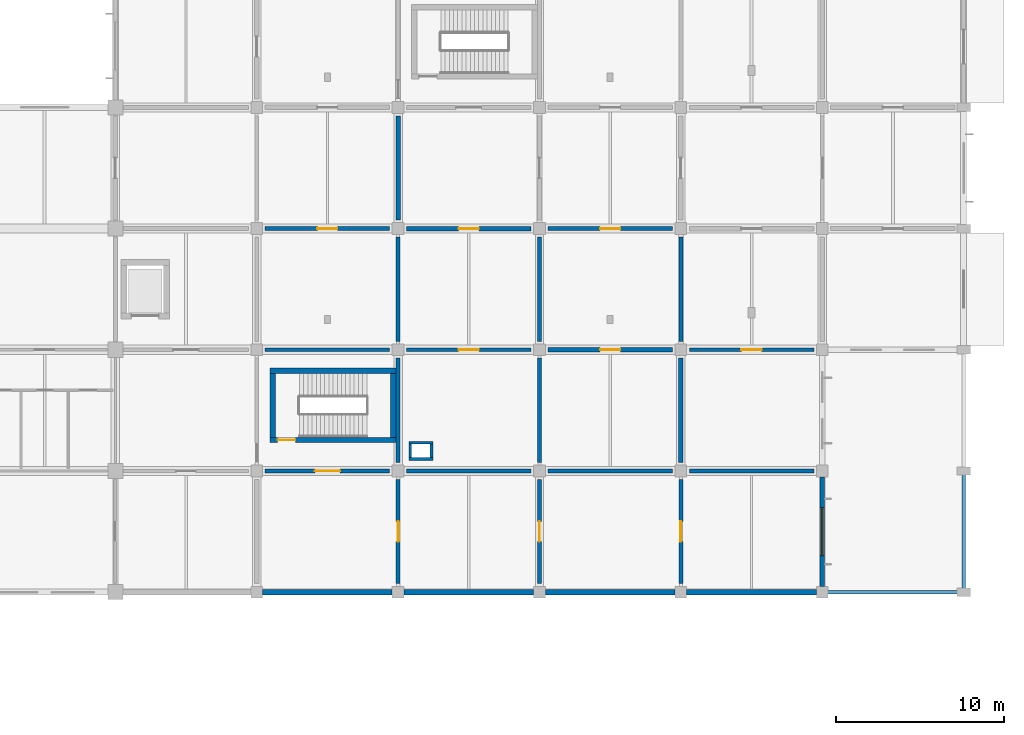
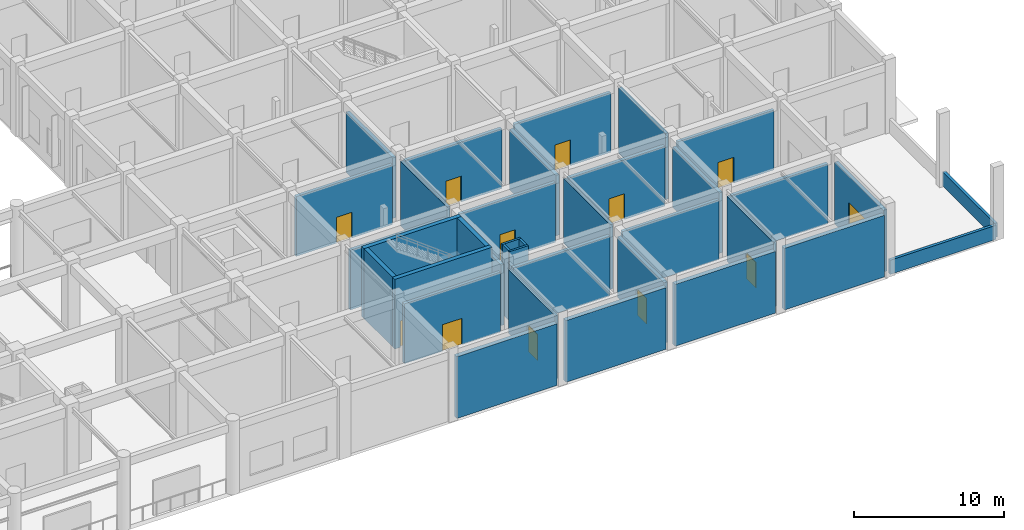
# One storey, part 23 of 39: 36 walls, 11 doors, 1 window, 12 openings.
"""IFC4 building model written with IfcOpenShell, lengths in metres."""

from ifc_helpers import new_model, si_unit, derived_unit, direction, frame, frame_2d, origin, place, context, subcontext, project, spatial, rectangle, extrude, material, layer, layer_set, type_object, element, fill, save


model = new_model("IFC4")

# Units and contexts
model_context = context("Model", 3, precision=1e-05, world=origin(), true_north=direction((0.0, 1.0)))
body_context = subcontext(model_context, "Body", "Model", "MODEL_VIEW")
ifc_project = project(units=[si_unit("LENGTHUNIT", "METRE"), si_unit("AREAUNIT", "SQUARE_METRE"), si_unit("VOLUMEUNIT", "CUBIC_METRE"), si_unit("PLANEANGLEUNIT", "RADIAN"), si_unit("MASSUNIT", "GRAM", prefix="KILO"), derived_unit("THERMALTRANSMITTANCEUNIT", [(si_unit("MASSUNIT", "GRAM", prefix="KILO"), 1), (si_unit("TIMEUNIT", "SECOND"), -3), (si_unit("THERMODYNAMICTEMPERATUREUNIT", "KELVIN"), -1)])], contexts=[model_context])

# Site, building, storey
site_placement = place(None, origin())
site = spatial("IfcSite", under=ifc_project, at=site_placement, CompositionType="ELEMENT")
building_placement = place(site_placement, origin())
building = spatial("IfcBuilding", under=site, at=building_placement, Name="Veldstrom Oceanarium and Marine Research Institute", CompositionType="ELEMENT")
storey_placement = place(building_placement, origin())
storey = spatial("IfcBuildingStorey", under=building, at=storey_placement, Name="L00", CompositionType="ELEMENT", Elevation=0.0)

# Wall, opening, window
ifc_material_1 = material(Name="Masonry Cavity Wall", Category="masonry")
ifc_layer_1 = layer(ifc_material_1, 0.27001953125)
ifc_layer_set_1 = layer_set([ifc_layer_1], Name="ARC-WAL-EW3")
wall_type_1 = type_object("IfcWallType", Name="ARC-WAL-EW3", PredefinedType="SOLIDWALL", material=ifc_layer_set_1)
wall_1_placement = place(storey_placement, frame((159.60009765625, 43.550048828125, 0.0), z_axis=(0.0, 0.0, 1.0), x_axis=(0.0, 1.0, 0.0)))
wall_1 = element("IfcWall", 1, at=wall_1_placement, inside=storey, type_object=wall_type_1, Name="Exterior Facade Wall EW3 L00-050", PredefinedType="SOLIDWALL", context=body_context, shape_type="SweptSolid", body=[
    extrude(rectangle(XDim=6.5, YDim=0.27001953125, at=frame_2d((3.25, 0.0))), origin(), (0.0, 0.0, 1.0), 5.02001953125),
])
opening_1_placement = place(wall_1_placement, frame((1.824951171875, 0.0, 0.89990234375)))
opening_1 = element("IfcOpeningElement", 2, at=opening_1_placement, cuts=wall_1, Name="Opening W19", PredefinedType="OPENING", context=body_context, shape_type="SweptSolid", body=[
    extrude(rectangle(XDim=2.85009765625, YDim=1.949951171875, at=frame_2d((1.425048828125, 0.97509765625))), frame((0.0, 0.14501953125, 0.0), z_axis=(0.0, -1.0, 0.0), x_axis=(1.0, 0.0, 0.0)), (0.0, 0.0, 1.0), 0.2900390625),
])
ifc_material_2 = material(Name="Double Glazed Low-E IGU", Category="glass")
window_type = type_object("IfcWindowType", Name="ARC-WIN-W19", PartitioningType="SINGLE_PANEL", PredefinedType="WINDOW", material=ifc_material_2)
window_placement = place(opening_1_placement, origin())
window = element("IfcWindow", 3, at=window_placement, inside=storey, type_object=window_type, Name="Facade Window W19 L00-0028", OverallHeight=1.949951171875, OverallWidth=2.85009765625, PartitioningType="SINGLE_PANEL", PredefinedType="WINDOW", context=body_context, shape_type="SweptSolid", body=[
    extrude(rectangle(XDim=2.85009765625, YDim=1.949951171875, at=frame_2d((1.425048828125, 0.97509765625))), frame((0.0, 0.030029296875, 0.0), z_axis=(0.0, -1.0, 0.0), x_axis=(1.0, 0.0, 0.0)), (0.0, 0.0, 1.0), 0.06005859375),
])
fill(opening_1, window)

# Walls
ifc_material_3 = material(Name="Masonry Cavity Wall", Category="masonry")
ifc_layer_2 = layer(ifc_material_3, 0.340087890625)
ifc_layer_set_2 = layer_set([ifc_layer_2], Name="ARC-WAL-EW4")
wall_type_2 = type_object("IfcWallType", Name="ARC-WAL-EW4", PredefinedType="SOLIDWALL", material=ifc_layer_set_2)
for number, where, z_axis, x_axis, name in (
    (4, (126.35009765625, 43.199951171875, 0.0), (0.0, 0.0, 1.0), (1.0, 0.0, 0.0), "Exterior Facade Wall EW4 L00-043"),
    (5, (134.75, 43.199951171875, 0.0), (0.0, 0.0, 1.0), (1.0, 0.0, 0.0), "Exterior Facade Wall EW4 L00-045"),
):
    element("IfcWall", number, at=place(storey_placement, frame(where, z_axis=z_axis, x_axis=x_axis)), inside=storey, type_object=wall_type_2, Name=name, PredefinedType="SOLIDWALL", context=body_context, shape_type="SweptSolid", body=[
        extrude(rectangle(XDim=7.699951171875, YDim=0.340087890625, at=frame_2d((3.85009765625, 0.0))), origin(), (0.0, 0.0, 1.0), 5.02001953125),
    ])
wall_2_placement = place(storey_placement, frame((143.14990234375, 43.199951171875, 0.0), z_axis=(0.0, 0.0, 1.0), x_axis=(1.0, 0.0, 0.0)))
element("IfcWall", 6, at=wall_2_placement, inside=storey, type_object=wall_type_2, Name="Exterior Facade Wall EW4 L00-047", PredefinedType="SOLIDWALL", context=body_context, shape_type="SweptSolid", body=[
    extrude(rectangle(XDim=7.7001953125, YDim=0.340087890625, at=frame_2d((3.85009765625, 0.0))), origin(), (0.0, 0.0, 1.0), 5.02001953125),
])
wall_3_placement = place(storey_placement, frame((151.550048828125, 43.199951171875, 0.0), z_axis=(0.0, 0.0, 1.0), x_axis=(1.0, 0.0, 0.0)))
element("IfcWall", 7, at=wall_3_placement, inside=storey, type_object=wall_type_2, Name="Exterior Facade Wall EW4 L00-049", PredefinedType="SOLIDWALL", context=body_context, shape_type="SweptSolid", body=[
    extrude(rectangle(XDim=7.699951171875, YDim=0.340087890625, at=frame_2d((3.85009765625, 0.0))), origin(), (0.0, 0.0, 1.0), 5.02001953125),
])
ifc_material_4 = material(Name="Masonry Cavity Wall", Category="masonry")
ifc_layer_3 = layer(ifc_material_4, 0.219970703125)
ifc_layer_set_3 = layer_set([ifc_layer_3], Name="ARC-WAL-PR1")
wall_type_3 = type_object("IfcWallType", Name="ARC-WAL-PR1", PredefinedType="PARAPET", material=ifc_layer_set_3)
wall_4_placement = place(storey_placement, frame((159.719970703125, 43.199951171875, 0.0), z_axis=(0.0, 0.0, 1.0), x_axis=(1.0, 0.0, 0.0)))
element("IfcWall", 8, at=wall_4_placement, inside=storey, type_object=wall_type_3, Name="Roof Parapet Wall B01-003", PredefinedType="PARAPET", context=body_context, shape_type="SweptSolid", body=[
    extrude(rectangle(XDim=8.159912109375, YDim=0.219970703125, at=frame_2d((4.080078125, 0.0))), origin(), (0.0, 0.0, 1.0), 1.14990234375),
])
wall_5_placement = place(storey_placement, frame((168.0, 43.320068359375, 0.0), z_axis=(0.0, 0.0, 1.0), x_axis=(0.0, 1.0, 0.0)))
element("IfcWall", 9, at=wall_5_placement, inside=storey, type_object=wall_type_3, Name="Roof Parapet Wall B01-004", PredefinedType="PARAPET", context=body_context, shape_type="SweptSolid", body=[
    extrude(rectangle(XDim=6.9599609375, YDim=0.219970703125, at=frame_2d((3.47998046875, 0.0))), origin(), (0.0, 0.0, 1.0), 1.14990234375),
])

# Wall, opening, door
ifc_material_5 = material(Name="Masonry Fire Compartment Wall", Category="masonry")
ifc_layer_4 = layer(ifc_material_5, 0.22998046875)
ifc_layer_set_4 = layer_set([ifc_layer_4], Name="ARC-WAL-PT1")
wall_type_4 = type_object("IfcWallType", Name="ARC-WAL-PT1", PredefinedType="PARTITIONING", material=ifc_layer_set_4)
wall_6_placement = place(storey_placement, frame((134.39990234375, 43.699951171875, 0.0), z_axis=(0.0, 0.0, 1.0), x_axis=(0.0, 1.0, 0.0)))
wall_6 = element("IfcWall", 10, at=wall_6_placement, inside=storey, type_object=wall_type_4, Name="Interior Partition PT1 L00-0742", PredefinedType="PARTITIONING", context=body_context, shape_type="SweptSolid", body=[
    extrude(rectangle(XDim=6.199951171875, YDim=0.22998046875, at=frame_2d((3.10009765625, 0.0))), origin(), (0.0, 0.0, 1.0), 5.169921875),
])
opening_2_placement = place(wall_6_placement, frame((2.5, 0.0, 0.0)))
opening_2 = element("IfcOpeningElement", 11, at=opening_2_placement, cuts=wall_6, Name="Opening D-L00-428", PredefinedType="OPENING", context=body_context, shape_type="SweptSolid", body=[
    extrude(rectangle(XDim=1.199951171875, YDim=2.10009765625, at=frame_2d((0.60009765625, 1.050048828125))), frame((0.0, 0.125, 0.0), z_axis=(0.0, -1.0, 0.0), x_axis=(1.0, 0.0, 0.0)), (0.0, 0.0, 1.0), 0.25),
])
ifc_material_6 = material(Name="Quarantine Biosecure Door", Category="steel")
door_type_1 = type_object("IfcDoorType", Name="ARC-DOR-ID06", OperationType="SINGLE_SWING_RIGHT", PredefinedType="DOOR", material=ifc_material_6)
door_1_placement = place(opening_2_placement, origin())
door_1 = element("IfcDoor", 12, at=door_1_placement, inside=storey, type_object=door_type_1, Name="Interior Door D-L00-428", OperationType="SINGLE_SWING_RIGHT", OverallHeight=2.10009765625, OverallWidth=1.199951171875, PredefinedType="DOOR", context=body_context, shape_type="SweptSolid", body=[
    extrude(rectangle(XDim=1.199951171875, YDim=2.10009765625, at=frame_2d((0.60009765625, 1.050048828125))), frame((0.0, 0.02490234375, 0.0), z_axis=(0.0, -1.0, 0.0), x_axis=(1.0, 0.0, 0.0)), (0.0, 0.0, 1.0), 0.050048828125),
])
fill(opening_2, door_1)

wall_7_placement = place(storey_placement, frame((126.5, 50.39990234375, 0.0), z_axis=(0.0, 0.0, 1.0), x_axis=(1.0, 0.0, 0.0)))
wall_7 = element("IfcWall", 13, at=wall_7_placement, inside=storey, type_object=wall_type_4, Name="Interior Partition PT1 L00-0743", PredefinedType="PARTITIONING", context=body_context, shape_type="SweptSolid", body=[
    extrude(rectangle(XDim=7.39990234375, YDim=0.22998046875, at=frame_2d((3.699951171875, 0.0))), origin(), (0.0, 0.0, 1.0), 4.8701171875),
])
opening_3_placement = place(wall_7_placement, frame((2.949951171875, 0.0, 0.0)))
opening_3 = element("IfcOpeningElement", 14, at=opening_3_placement, cuts=wall_7, Name="Opening D-L00-429", PredefinedType="OPENING", context=body_context, shape_type="SweptSolid", body=[
    extrude(rectangle(XDim=1.5, YDim=2.14990234375, at=frame_2d((0.75, 1.074951171875))), frame((0.0, 0.125, 0.0), z_axis=(0.0, -1.0, 0.0), x_axis=(1.0, 0.0, 0.0)), (0.0, 0.0, 1.0), 0.25),
])
ifc_material_7 = material(Name="Painted Steel Lobby Fire Door", Category="steel")
door_type_2 = type_object("IfcDoorType", Name="ARC-DOR-SD2", OperationType="DOUBLE_DOOR_SINGLE_SWING", PredefinedType="DOOR", material=ifc_material_7)
door_2_placement = place(opening_3_placement, frame((1.5, 0.0, 0.0), z_axis=(0.0, 0.0, 1.0), x_axis=(-1.0, 0.0, 0.0)))
door_2 = element("IfcDoor", 15, at=door_2_placement, inside=storey, type_object=door_type_2, Name="Interior Door D-L00-429", OperationType="DOUBLE_DOOR_SINGLE_SWING", OverallHeight=2.14990234375, OverallWidth=1.5, PredefinedType="DOOR", context=body_context, shape_type="SweptSolid", body=[
    extrude(rectangle(XDim=1.5, YDim=2.14990234375, at=frame_2d((0.75, 1.074951171875))), frame((0.0, 0.02490234375, 0.0), z_axis=(0.0, -1.0, 0.0), x_axis=(1.0, 0.0, 0.0)), (0.0, 0.0, 1.0), 0.050048828125),
])
fill(opening_3, door_2)

# Walls
wall_8_placement = place(storey_placement, frame((134.39990234375, 50.89990234375, 0.0), z_axis=(0.0, 0.0, 1.0), x_axis=(0.0, 1.0, 0.0)))
element("IfcWall", 16, at=wall_8_placement, inside=storey, type_object=wall_type_4, Name="Interior Partition PT1 L00-0744", PredefinedType="PARTITIONING", context=body_context, shape_type="SweptSolid", body=[
    extrude(rectangle(XDim=6.2001953125, YDim=0.22998046875, at=frame_2d((3.10009765625, 0.0))), origin(), (0.0, 0.0, 1.0), 4.919921875),
])
wall_9_placement = place(storey_placement, frame((126.5, 57.60009765625, 0.0), z_axis=(0.0, 0.0, 1.0), x_axis=(1.0, 0.0, 0.0)))
element("IfcWall", 17, at=wall_9_placement, inside=storey, type_object=wall_type_4, Name="Interior Partition PT1 L00-0745", PredefinedType="PARTITIONING", context=body_context, shape_type="SweptSolid", body=[
    extrude(rectangle(XDim=7.39990234375, YDim=0.22998046875, at=frame_2d((3.699951171875, 0.0))), origin(), (0.0, 0.0, 1.0), 4.8701171875),
])
wall_10_placement = place(storey_placement, frame((134.39990234375, 58.10009765625, 0.0), z_axis=(0.0, 0.0, 1.0), x_axis=(0.0, 1.0, 0.0)))
element("IfcWall", 18, at=wall_10_placement, inside=storey, type_object=wall_type_4, Name="Interior Partition PT1 L00-0746", PredefinedType="PARTITIONING", context=body_context, shape_type="SweptSolid", body=[
    extrude(rectangle(XDim=6.199951171875, YDim=0.22998046875, at=frame_2d((3.10009765625, 0.0))), origin(), (0.0, 0.0, 1.0), 5.27001953125),
])

# Wall, opening, door
wall_11_placement = place(storey_placement, frame((126.5, 64.800048828125, 0.0), z_axis=(0.0, 0.0, 1.0), x_axis=(1.0, 0.0, 0.0)))
wall_11 = element("IfcWall", 19, at=wall_11_placement, inside=storey, type_object=wall_type_4, Name="Interior Partition PT1 L00-0747", PredefinedType="PARTITIONING", context=body_context, shape_type="SweptSolid", body=[
    extrude(rectangle(XDim=7.39990234375, YDim=0.22998046875, at=frame_2d((3.699951171875, 0.0))), origin(), (0.0, 0.0, 1.0), 4.8701171875),
])
opening_4_placement = place(wall_11_placement, frame((3.10009765625, 0.0, 0.0)))
opening_4 = element("IfcOpeningElement", 20, at=opening_4_placement, cuts=wall_11, Name="Opening D-L00-430", PredefinedType="OPENING", context=body_context, shape_type="SweptSolid", body=[
    extrude(rectangle(XDim=1.199951171875, YDim=2.10009765625, at=frame_2d((0.60009765625, 1.050048828125))), frame((0.0, 0.125, 0.0), z_axis=(0.0, -1.0, 0.0), x_axis=(1.0, 0.0, 0.0)), (0.0, 0.0, 1.0), 0.25),
])
door_3_placement = place(opening_4_placement, frame((1.199951171875, 0.0, 0.0), z_axis=(0.0, 0.0, 1.0), x_axis=(-1.0, 0.0, 0.0)))
door_3 = element("IfcDoor", 21, at=door_3_placement, inside=storey, type_object=door_type_1, Name="Interior Door D-L00-430", OperationType="SINGLE_SWING_LEFT", OverallHeight=2.10009765625, OverallWidth=1.199951171875, PredefinedType="DOOR", context=body_context, shape_type="SweptSolid", body=[
    extrude(rectangle(XDim=1.199951171875, YDim=2.10009765625, at=frame_2d((0.60009765625, 1.050048828125))), frame((0.0, 0.02490234375, 0.0), z_axis=(0.0, -1.0, 0.0), x_axis=(1.0, 0.0, 0.0)), (0.0, 0.0, 1.0), 0.050048828125),
])
fill(opening_4, door_3)

# Wall
wall_12_placement = place(storey_placement, frame((142.800048828125, 50.89990234375, 0.0), z_axis=(0.0, 0.0, 1.0), x_axis=(0.0, 1.0, 0.0)))
element("IfcWall", 22, at=wall_12_placement, inside=storey, type_object=wall_type_4, Name="Interior Partition PT1 L00-0763", PredefinedType="PARTITIONING", context=body_context, shape_type="SweptSolid", body=[
    extrude(rectangle(XDim=6.2001953125, YDim=0.22998046875, at=frame_2d((3.10009765625, 0.0))), origin(), (0.0, 0.0, 1.0), 5.27001953125),
])

# Wall, opening, door
wall_13_placement = place(storey_placement, frame((134.89990234375, 57.60009765625, 0.0), z_axis=(0.0, 0.0, 1.0), x_axis=(1.0, 0.0, 0.0)))
wall_13 = element("IfcWall", 23, at=wall_13_placement, inside=storey, type_object=wall_type_4, Name="Interior Partition PT1 L00-0764", PredefinedType="PARTITIONING", context=body_context, shape_type="SweptSolid", body=[
    extrude(rectangle(XDim=7.400146484375, YDim=0.22998046875, at=frame_2d((3.7001953125, 0.0))), origin(), (0.0, 0.0, 1.0), 4.8701171875),
])
opening_5_placement = place(wall_13_placement, frame((3.10009765625, 0.0, 0.0)))
opening_5 = element("IfcOpeningElement", 24, at=opening_5_placement, cuts=wall_13, Name="Opening D-L00-440", PredefinedType="OPENING", context=body_context, shape_type="SweptSolid", body=[
    extrude(rectangle(XDim=1.199951171875, YDim=2.10009765625, at=frame_2d((0.60009765625, 1.050048828125))), frame((0.0, 0.125, 0.0), z_axis=(0.0, -1.0, 0.0), x_axis=(1.0, 0.0, 0.0)), (0.0, 0.0, 1.0), 0.25),
])
door_4_placement = place(opening_5_placement, frame((1.199951171875, 0.0, 0.0), z_axis=(0.0, 0.0, 1.0), x_axis=(-1.0, 0.0, 0.0)))
door_4 = element("IfcDoor", 25, at=door_4_placement, inside=storey, type_object=door_type_1, Name="Interior Door D-L00-440", OperationType="SINGLE_SWING_LEFT", OverallHeight=2.10009765625, OverallWidth=1.199951171875, PredefinedType="DOOR", context=body_context, shape_type="SweptSolid", body=[
    extrude(rectangle(XDim=1.199951171875, YDim=2.10009765625, at=frame_2d((0.60009765625, 1.050048828125))), frame((0.0, 0.02490234375, 0.0), z_axis=(0.0, -1.0, 0.0), x_axis=(1.0, 0.0, 0.0)), (0.0, 0.0, 1.0), 0.050048828125),
])
fill(opening_5, door_4)

wall_14_placement = place(storey_placement, frame((151.199951171875, 43.699951171875, 0.0), z_axis=(0.0, 0.0, 1.0), x_axis=(0.0, 1.0, 0.0)))
wall_14 = element("IfcWall", 26, at=wall_14_placement, inside=storey, type_object=wall_type_4, Name="Interior Partition PT1 L00-0780", PredefinedType="PARTITIONING", context=body_context, shape_type="SweptSolid", body=[
    extrude(rectangle(XDim=6.199951171875, YDim=0.22998046875, at=frame_2d((3.10009765625, 0.0))), origin(), (0.0, 0.0, 1.0), 5.27001953125),
])
opening_6_placement = place(wall_14_placement, frame((2.5, 0.0, 0.0)))
opening_6 = element("IfcOpeningElement", 27, at=opening_6_placement, cuts=wall_14, Name="Opening D-L00-449", PredefinedType="OPENING", context=body_context, shape_type="SweptSolid", body=[
    extrude(rectangle(XDim=1.199951171875, YDim=2.10009765625, at=frame_2d((0.60009765625, 1.050048828125))), frame((0.0, 0.125, 0.0), z_axis=(0.0, -1.0, 0.0), x_axis=(1.0, 0.0, 0.0)), (0.0, 0.0, 1.0), 0.25),
])
door_5_placement = place(opening_6_placement, origin())
door_5 = element("IfcDoor", 28, at=door_5_placement, inside=storey, type_object=door_type_1, Name="Interior Door D-L00-449", OperationType="SINGLE_SWING_RIGHT", OverallHeight=2.10009765625, OverallWidth=1.199951171875, PredefinedType="DOOR", context=body_context, shape_type="SweptSolid", body=[
    extrude(rectangle(XDim=1.199951171875, YDim=2.10009765625, at=frame_2d((0.60009765625, 1.050048828125))), frame((0.0, 0.02490234375, 0.0), z_axis=(0.0, -1.0, 0.0), x_axis=(1.0, 0.0, 0.0)), (0.0, 0.0, 1.0), 0.050048828125),
])
fill(opening_6, door_5)

# Walls
wall_15_placement = place(storey_placement, frame((143.300048828125, 50.39990234375, 0.0), z_axis=(0.0, 0.0, 1.0), x_axis=(1.0, 0.0, 0.0)))
element("IfcWall", 29, at=wall_15_placement, inside=storey, type_object=wall_type_4, Name="Interior Partition PT1 L00-0781", PredefinedType="PARTITIONING", context=body_context, shape_type="SweptSolid", body=[
    extrude(rectangle(XDim=7.39990234375, YDim=0.22998046875, at=frame_2d((3.699951171875, 0.0))), origin(), (0.0, 0.0, 1.0), 4.8701171875),
])
wall_16_placement = place(storey_placement, frame((151.199951171875, 58.10009765625, 0.0), z_axis=(0.0, 0.0, 1.0), x_axis=(0.0, 1.0, 0.0)))
element("IfcWall", 30, at=wall_16_placement, inside=storey, type_object=wall_type_4, Name="Interior Partition PT1 L00-0784", PredefinedType="PARTITIONING", context=body_context, shape_type="SweptSolid", body=[
    extrude(rectangle(XDim=6.199951171875, YDim=0.22998046875, at=frame_2d((3.10009765625, 0.0))), origin(), (0.0, 0.0, 1.0), 5.3798828125),
])

# Wall, opening, door
wall_17_placement = place(storey_placement, frame((143.300048828125, 64.800048828125, 0.0), z_axis=(0.0, 0.0, 1.0), x_axis=(1.0, 0.0, 0.0)))
wall_17 = element("IfcWall", 31, at=wall_17_placement, inside=storey, type_object=wall_type_4, Name="Interior Partition PT1 L00-0785", PredefinedType="PARTITIONING", context=body_context, shape_type="SweptSolid", body=[
    extrude(rectangle(XDim=7.39990234375, YDim=0.22998046875, at=frame_2d((3.699951171875, 0.0))), origin(), (0.0, 0.0, 1.0), 4.8701171875),
])
opening_7_placement = place(wall_17_placement, frame((3.10009765625, 0.0, 0.0)))
opening_7 = element("IfcOpeningElement", 32, at=opening_7_placement, cuts=wall_17, Name="Opening D-L00-451", PredefinedType="OPENING", context=body_context, shape_type="SweptSolid", body=[
    extrude(rectangle(XDim=1.199951171875, YDim=2.10009765625, at=frame_2d((0.60009765625, 1.050048828125))), frame((0.0, 0.125, 0.0), z_axis=(0.0, -1.0, 0.0), x_axis=(1.0, 0.0, 0.0)), (0.0, 0.0, 1.0), 0.25),
])
door_6_placement = place(opening_7_placement, frame((1.199951171875, 0.0, 0.0), z_axis=(0.0, 0.0, 1.0), x_axis=(-1.0, 0.0, 0.0)))
door_6 = element("IfcDoor", 33, at=door_6_placement, inside=storey, type_object=door_type_1, Name="Interior Door D-L00-451", OperationType="SINGLE_SWING_LEFT", OverallHeight=2.10009765625, OverallWidth=1.199951171875, PredefinedType="DOOR", context=body_context, shape_type="SweptSolid", body=[
    extrude(rectangle(XDim=1.199951171875, YDim=2.10009765625, at=frame_2d((0.60009765625, 1.050048828125))), frame((0.0, 0.02490234375, 0.0), z_axis=(0.0, -1.0, 0.0), x_axis=(1.0, 0.0, 0.0)), (0.0, 0.0, 1.0), 0.050048828125),
])
fill(opening_7, door_6)

wall_18_placement = place(storey_placement, frame((151.699951171875, 57.60009765625, 0.0), z_axis=(0.0, 0.0, 1.0), x_axis=(1.0, 0.0, 0.0)))
wall_18 = element("IfcWall", 34, at=wall_18_placement, inside=storey, type_object=wall_type_4, Name="Interior Partition PT1 L00-0800", PredefinedType="PARTITIONING", context=body_context, shape_type="SweptSolid", body=[
    extrude(rectangle(XDim=7.400146484375, YDim=0.22998046875, at=frame_2d((3.7001953125, 0.0))), origin(), (0.0, 0.0, 1.0), 4.8701171875),
])
opening_8_placement = place(wall_18_placement, frame((3.10009765625, 0.0, 0.0)))
opening_8 = element("IfcOpeningElement", 35, at=opening_8_placement, cuts=wall_18, Name="Opening D-L00-459", PredefinedType="OPENING", context=body_context, shape_type="SweptSolid", body=[
    extrude(rectangle(XDim=1.199951171875, YDim=2.10009765625, at=frame_2d((0.60009765625, 1.050048828125))), frame((0.0, 0.125, 0.0), z_axis=(0.0, -1.0, 0.0), x_axis=(1.0, 0.0, 0.0)), (0.0, 0.0, 1.0), 0.25),
])
door_7_placement = place(opening_8_placement, frame((1.199951171875, 0.0, 0.0), z_axis=(0.0, 0.0, 1.0), x_axis=(-1.0, 0.0, 0.0)))
door_7 = element("IfcDoor", 36, at=door_7_placement, inside=storey, type_object=door_type_1, Name="Interior Door D-L00-459", OperationType="SINGLE_SWING_LEFT", OverallHeight=2.10009765625, OverallWidth=1.199951171875, PredefinedType="DOOR", context=body_context, shape_type="SweptSolid", body=[
    extrude(rectangle(XDim=1.199951171875, YDim=2.10009765625, at=frame_2d((0.60009765625, 1.050048828125))), frame((0.0, 0.02490234375, 0.0), z_axis=(0.0, -1.0, 0.0), x_axis=(1.0, 0.0, 0.0)), (0.0, 0.0, 1.0), 0.050048828125),
])
fill(opening_8, door_7)

# Wall
ifc_material_8 = material(Name="Plant Acoustic Masonry Wall", Category="masonry")
ifc_layer_5 = layer(ifc_material_8, 0.260009765625)
ifc_layer_set_5 = layer_set([ifc_layer_5], Name="ARC-WAL-PT8")
wall_type_5 = type_object("IfcWallType", Name="ARC-WAL-PT8", PredefinedType="PARTITIONING", material=ifc_layer_set_5)
wall_19_placement = place(storey_placement, frame((134.39990234375, 65.300048828125, 0.0), z_axis=(0.0, 0.0, 1.0), x_axis=(0.0, 1.0, 0.0)))
element("IfcWall", 37, at=wall_19_placement, inside=storey, type_object=wall_type_5, Name="Interior Partition PT8 L00-0748", PredefinedType="PARTITIONING", context=body_context, shape_type="SweptSolid", body=[
    extrude(rectangle(XDim=6.199951171875, YDim=0.260009765625, at=frame_2d((3.10009765625, 0.0))), origin(), (0.0, 0.0, 1.0), 4.919921875),
])

# Wall, opening, door
wall_20_placement = place(storey_placement, frame((142.800048828125, 43.699951171875, 0.0), z_axis=(0.0, 0.0, 1.0), x_axis=(0.0, 1.0, 0.0)))
wall_20 = element("IfcWall", 38, at=wall_20_placement, inside=storey, type_object=wall_type_5, Name="Interior Partition PT8 L00-0761", PredefinedType="PARTITIONING", context=body_context, shape_type="SweptSolid", body=[
    extrude(rectangle(XDim=6.199951171875, YDim=0.260009765625, at=frame_2d((3.10009765625, 0.0))), origin(), (0.0, 0.0, 1.0), 4.919921875),
])
opening_9_placement = place(wall_20_placement, frame((2.5, 0.0, 0.0)))
opening_9 = element("IfcOpeningElement", 39, at=opening_9_placement, cuts=wall_20, Name="Opening D-L00-439", PredefinedType="OPENING", context=body_context, shape_type="SweptSolid", body=[
    extrude(rectangle(XDim=1.199951171875, YDim=2.10009765625, at=frame_2d((0.60009765625, 1.050048828125))), frame((0.0, 0.139892578125, 0.0), z_axis=(0.0, -1.0, 0.0), x_axis=(1.0, 0.0, 0.0)), (0.0, 0.0, 1.0), 0.280029296875),
])
door_8_placement = place(opening_9_placement, frame((1.199951171875, 0.0, 0.0), z_axis=(0.0, 0.0, 1.0), x_axis=(-1.0, 0.0, 0.0)))
door_8 = element("IfcDoor", 40, at=door_8_placement, inside=storey, type_object=door_type_1, Name="Interior Door D-L00-439", OperationType="SINGLE_SWING_RIGHT", OverallHeight=2.10009765625, OverallWidth=1.199951171875, PredefinedType="DOOR", context=body_context, shape_type="SweptSolid", body=[
    extrude(rectangle(XDim=1.199951171875, YDim=2.10009765625, at=frame_2d((0.60009765625, 1.050048828125))), frame((0.0, 0.02490234375, 0.0), z_axis=(0.0, -1.0, 0.0), x_axis=(1.0, 0.0, 0.0)), (0.0, 0.0, 1.0), 0.050048828125),
])
fill(opening_9, door_8)

# Walls
wall_21_placement = place(storey_placement, frame((134.89990234375, 50.39990234375, 0.0), z_axis=(0.0, 0.0, 1.0), x_axis=(1.0, 0.0, 0.0)))
element("IfcWall", 41, at=wall_21_placement, inside=storey, type_object=wall_type_5, Name="Interior Partition PT8 L00-0762", PredefinedType="PARTITIONING", context=body_context, shape_type="SweptSolid", body=[
    extrude(rectangle(XDim=7.400146484375, YDim=0.260009765625, at=frame_2d((3.7001953125, 0.0))), origin(), (0.0, 0.0, 1.0), 4.8701171875),
])
wall_22_placement = place(storey_placement, frame((142.800048828125, 58.10009765625, 0.0), z_axis=(0.0, 0.0, 1.0), x_axis=(0.0, 1.0, 0.0)))
element("IfcWall", 42, at=wall_22_placement, inside=storey, type_object=wall_type_5, Name="Interior Partition PT8 L00-0765", PredefinedType="PARTITIONING", context=body_context, shape_type="SweptSolid", body=[
    extrude(rectangle(XDim=6.199951171875, YDim=0.260009765625, at=frame_2d((3.10009765625, 0.0))), origin(), (0.0, 0.0, 1.0), 4.919921875),
])

# Wall, opening, door
wall_23_placement = place(storey_placement, frame((134.89990234375, 64.800048828125, 0.0), z_axis=(0.0, 0.0, 1.0), x_axis=(1.0, 0.0, 0.0)))
wall_23 = element("IfcWall", 43, at=wall_23_placement, inside=storey, type_object=wall_type_5, Name="Interior Partition PT8 L00-0766", PredefinedType="PARTITIONING", context=body_context, shape_type="SweptSolid", body=[
    extrude(rectangle(XDim=7.400146484375, YDim=0.260009765625, at=frame_2d((3.7001953125, 0.0))), origin(), (0.0, 0.0, 1.0), 4.8701171875),
])
opening_10_placement = place(wall_23_placement, frame((3.10009765625, 0.0, 0.0)))
opening_10 = element("IfcOpeningElement", 44, at=opening_10_placement, cuts=wall_23, Name="Opening D-L00-441", PredefinedType="OPENING", context=body_context, shape_type="SweptSolid", body=[
    extrude(rectangle(XDim=1.199951171875, YDim=2.10009765625, at=frame_2d((0.60009765625, 1.050048828125))), frame((0.0, 0.139892578125, 0.0), z_axis=(0.0, -1.0, 0.0), x_axis=(1.0, 0.0, 0.0)), (0.0, 0.0, 1.0), 0.280029296875),
])
door_9_placement = place(opening_10_placement, origin())
door_9 = element("IfcDoor", 45, at=door_9_placement, inside=storey, type_object=door_type_1, Name="Interior Door D-L00-441", OperationType="SINGLE_SWING_LEFT", OverallHeight=2.10009765625, OverallWidth=1.199951171875, PredefinedType="DOOR", context=body_context, shape_type="SweptSolid", body=[
    extrude(rectangle(XDim=1.199951171875, YDim=2.10009765625, at=frame_2d((0.60009765625, 1.050048828125))), frame((0.0, 0.02490234375, 0.0), z_axis=(0.0, -1.0, 0.0), x_axis=(1.0, 0.0, 0.0)), (0.0, 0.0, 1.0), 0.050048828125),
])
fill(opening_10, door_9)

# Wall
wall_24_placement = place(storey_placement, frame((151.199951171875, 50.89990234375, 0.0), z_axis=(0.0, 0.0, 1.0), x_axis=(0.0, 1.0, 0.0)))
element("IfcWall", 46, at=wall_24_placement, inside=storey, type_object=wall_type_5, Name="Interior Partition PT8 L00-0782", PredefinedType="PARTITIONING", context=body_context, shape_type="SweptSolid", body=[
    extrude(rectangle(XDim=6.2001953125, YDim=0.260009765625, at=frame_2d((3.10009765625, 0.0))), origin(), (0.0, 0.0, 1.0), 4.919921875),
])

# Wall, opening, door
wall_25_placement = place(storey_placement, frame((143.300048828125, 57.60009765625, 0.0), z_axis=(0.0, 0.0, 1.0), x_axis=(1.0, 0.0, 0.0)))
wall_25 = element("IfcWall", 47, at=wall_25_placement, inside=storey, type_object=wall_type_5, Name="Interior Partition PT8 L00-0783", PredefinedType="PARTITIONING", context=body_context, shape_type="SweptSolid", body=[
    extrude(rectangle(XDim=7.39990234375, YDim=0.260009765625, at=frame_2d((3.699951171875, 0.0))), origin(), (0.0, 0.0, 1.0), 4.8701171875),
])
opening_11_placement = place(wall_25_placement, frame((3.10009765625, 0.0, 0.0)))
opening_11 = element("IfcOpeningElement", 48, at=opening_11_placement, cuts=wall_25, Name="Opening D-L00-450", PredefinedType="OPENING", context=body_context, shape_type="SweptSolid", body=[
    extrude(rectangle(XDim=1.199951171875, YDim=2.10009765625, at=frame_2d((0.60009765625, 1.050048828125))), frame((0.0, 0.139892578125, 0.0), z_axis=(0.0, -1.0, 0.0), x_axis=(1.0, 0.0, 0.0)), (0.0, 0.0, 1.0), 0.280029296875),
])
door_10_placement = place(opening_11_placement, origin())
door_10 = element("IfcDoor", 49, at=door_10_placement, inside=storey, type_object=door_type_1, Name="Interior Door D-L00-450", OperationType="SINGLE_SWING_LEFT", OverallHeight=2.10009765625, OverallWidth=1.199951171875, PredefinedType="DOOR", context=body_context, shape_type="SweptSolid", body=[
    extrude(rectangle(XDim=1.199951171875, YDim=2.10009765625, at=frame_2d((0.60009765625, 1.050048828125))), frame((0.0, 0.02490234375, 0.0), z_axis=(0.0, -1.0, 0.0), x_axis=(1.0, 0.0, 0.0)), (0.0, 0.0, 1.0), 0.050048828125),
])
fill(opening_11, door_10)

# Walls
wall_26_placement = place(storey_placement, frame((151.699951171875, 50.39990234375, 0.0), z_axis=(0.0, 0.0, 1.0), x_axis=(1.0, 0.0, 0.0)))
element("IfcWall", 50, at=wall_26_placement, inside=storey, type_object=wall_type_5, Name="Interior Partition PT8 L00-0799", PredefinedType="PARTITIONING", context=body_context, shape_type="SweptSolid", body=[
    extrude(rectangle(XDim=7.400146484375, YDim=0.260009765625, at=frame_2d((3.7001953125, 0.0))), origin(), (0.0, 0.0, 1.0), 4.8701171875),
])
ifc_material_9 = material(Name="Service Riser Fire Shaft Wall", Category="masonry")
ifc_layer_6 = layer(ifc_material_9, 0.1650390625)
ifc_layer_set_6 = layer_set([ifc_layer_6], Name="ARC-WAL-PT9")
wall_type_6 = type_object("IfcWallType", Name="ARC-WAL-PT9", PredefinedType="PARTITIONING", material=ifc_layer_set_6)
for number, where, z_axis, x_axis, name in (
    (51, (135.034912109375, 51.117431640625, 0.0), (0.0, 0.0, 1.0), (1.0, 0.0, 0.0), "Service Riser Fire Shaft Wall L00-ES-S"),
    (52, (135.034912109375, 52.08251953125, 0.0), (0.0, 0.0, 1.0), (1.0, 0.0, 0.0), "Service Riser Fire Shaft Wall L00-ES-N"),
):
    element("IfcWall", number, at=place(storey_placement, frame(where, z_axis=z_axis, x_axis=x_axis)), inside=storey, type_object=wall_type_6, Name=name, PredefinedType="PARTITIONING", context=body_context, shape_type="SweptSolid", body=[
        extrude(rectangle(XDim=1.43017578125, YDim=0.1650390625, at=frame_2d((0.715087890625, 0.0))), origin(), (0.0, 0.0, 1.0), 5.675048828125),
    ])
for number, where, z_axis, x_axis, name in (
    (53, (135.117431640625, 51.199951171875, 0.0), (0.0, 0.0, 1.0), (0.0, 1.0, 0.0), "Service Riser Fire Shaft Wall L00-ES-W"),
    (54, (136.382568359375, 51.199951171875, 0.0), (0.0, 0.0, 1.0), (0.0, 1.0, 0.0), "Service Riser Fire Shaft Wall L00-ES-E"),
):
    element("IfcWall", number, at=place(storey_placement, frame(where, z_axis=z_axis, x_axis=x_axis)), inside=storey, type_object=wall_type_6, Name=name, PredefinedType="PARTITIONING", context=body_context, shape_type="SweptSolid", body=[
        extrude(rectangle(XDim=0.800048828125, YDim=0.1650390625, at=frame_2d((0.39990234375, 0.0))), origin(), (0.0, 0.0, 1.0), 5.675048828125),
    ])

# Wall, opening, door
ifc_material_10 = material(Name="Concrete C40/50", Category="concrete")
ifc_layer_7 = layer(ifc_material_10, 0.320068359375)
ifc_layer_set_7 = layer_set([ifc_layer_7], Name="STR-WAL-WC3")
wall_type_7 = type_object("IfcWallType", Name="STR-WAL-WC3", PredefinedType="SHEAR", material=ifc_layer_set_7)
wall_27_placement = place(storey_placement, frame((126.800048828125, 52.239990234375, 0.0), z_axis=(0.0, 0.0, 1.0), x_axis=(1.0, 0.0, 0.0)))
wall_27 = element("IfcWall", 55, at=wall_27_placement, inside=storey, type_object=wall_type_7, Name="Stair Core Shear Wall SC4-L00-S", PredefinedType="SHEAR", context=body_context, shape_type="SweptSolid", body=[
    extrude(rectangle(XDim=7.47998046875, YDim=0.320068359375, at=frame_2d((3.739990234375, 0.0))), origin(), (0.0, 0.0, 1.0), 5.675048828125),
])
opening_12_placement = place(wall_27_placement, frame((0.449951171875, 0.0, 0.0)))
opening_12 = element("IfcOpeningElement", 56, at=opening_12_placement, cuts=wall_27, Name="Opening D-ST4-L00", PredefinedType="OPENING", context=body_context, shape_type="SweptSolid", body=[
    extrude(rectangle(XDim=1.050048828125, YDim=2.14990234375, at=frame_2d((0.52490234375, 1.074951171875))), frame((0.0, 0.169921875, 0.0), z_axis=(0.0, -1.0, 0.0), x_axis=(1.0, 0.0, 0.0)), (0.0, 0.0, 1.0), 0.340087890625),
])
ifc_material_11 = material(Name="Painted Steel Fire Door", Category="steel")
door_type_3 = type_object("IfcDoorType", Name="ARC-DOR-SD1", OperationType="SINGLE_SWING_LEFT", PredefinedType="DOOR", material=ifc_material_11)
door_11_placement = place(opening_12_placement, frame((1.050048828125, 0.0, 0.0), z_axis=(0.0, 0.0, 1.0), x_axis=(-1.0, 0.0, 0.0)))
door_11 = element("IfcDoor", 57, at=door_11_placement, inside=storey, type_object=door_type_3, Name="Escape Stair Fire Door D-ST4-L00", OperationType="SINGLE_SWING_RIGHT", OverallHeight=2.14990234375, OverallWidth=1.050048828125, PredefinedType="DOOR", context=body_context, shape_type="SweptSolid", body=[
    extrude(rectangle(XDim=1.050048828125, YDim=2.14990234375, at=frame_2d((0.52490234375, 1.074951171875))), frame((0.0, 0.02490234375, 0.0), z_axis=(0.0, -1.0, 0.0), x_axis=(1.0, 0.0, 0.0)), (0.0, 0.0, 1.0), 0.050048828125),
])
fill(opening_12, door_11)

# Walls
wall_28_placement = place(storey_placement, frame((126.800048828125, 56.360107421875, 0.0), z_axis=(0.0, 0.0, 1.0), x_axis=(1.0, 0.0, 0.0)))
element("IfcWall", 58, at=wall_28_placement, inside=storey, type_object=wall_type_7, Name="Stair Core Shear Wall SC4-L00-N", PredefinedType="SHEAR", context=body_context, shape_type="SweptSolid", body=[
    extrude(rectangle(XDim=7.47998046875, YDim=0.320068359375, at=frame_2d((3.739990234375, 0.0))), origin(), (0.0, 0.0, 1.0), 5.675048828125),
])
for number, where, z_axis, x_axis, name in (
    (59, (126.9599609375, 52.39990234375, 0.0), (0.0, 0.0, 1.0), (0.0, 1.0, 0.0), "Stair Core Shear Wall SC4-L00-W"),
    (60, (134.1201171875, 52.39990234375, 0.0), (0.0, 0.0, 1.0), (0.0, 1.0, 0.0), "Stair Core Shear Wall SC4-L00-E"),
):
    element("IfcWall", number, at=place(storey_placement, frame(where, z_axis=z_axis, x_axis=x_axis)), inside=storey, type_object=wall_type_7, Name=name, PredefinedType="SHEAR", context=body_context, shape_type="SweptSolid", body=[
        extrude(rectangle(XDim=3.800048828125, YDim=0.320068359375, at=frame_2d((1.89990234375, 0.0))), origin(), (0.0, 0.0, 1.0), 5.675048828125),
    ])

save(model, "model.ifc")
